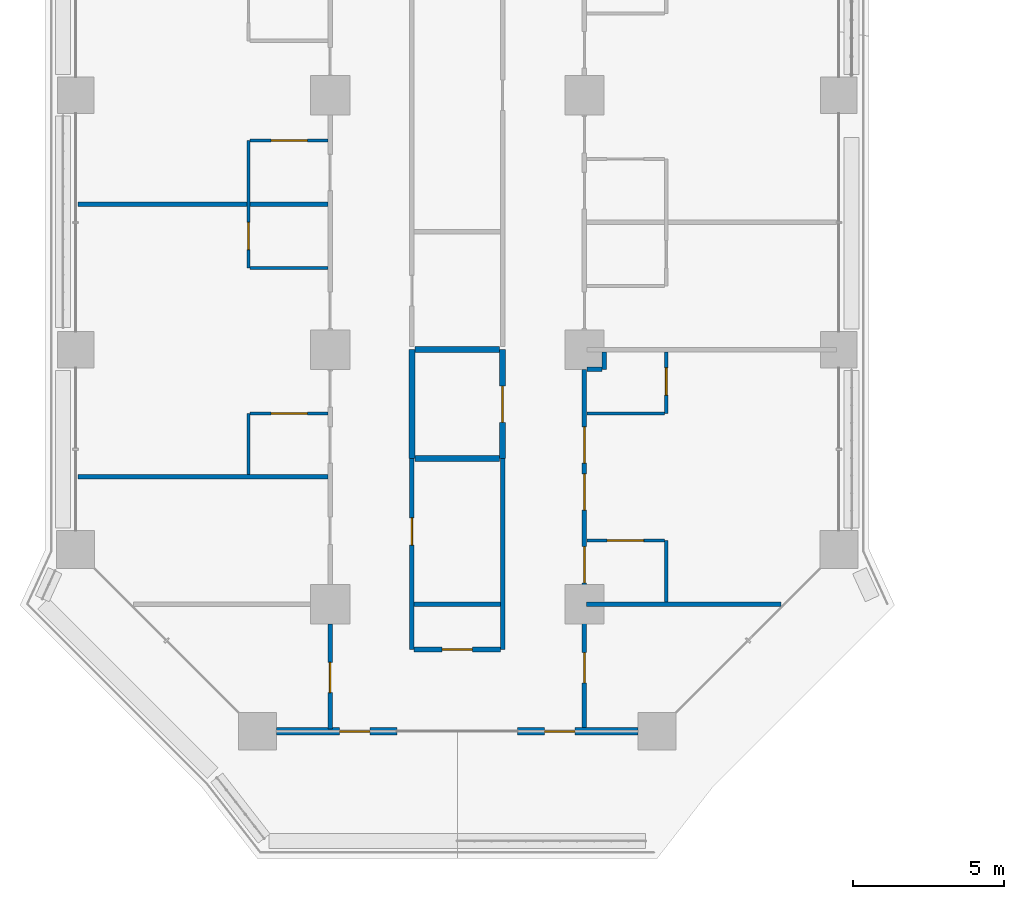
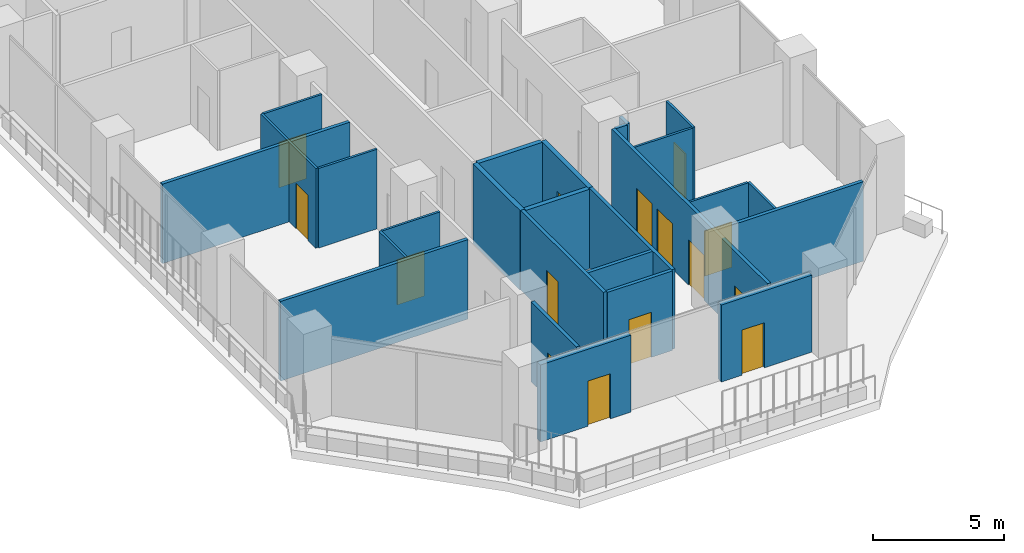
# One storey, part 12 of 28: 26 walls, 15 doors, 15 openings.
"""IFC4 building model written with IfcOpenShell, lengths in metres."""

from ifc_helpers import new_model, si_unit, direction, frame, frame_2d, origin, place, context, subcontext, project, spatial, rectangle, extrude, material, layer, layer_set, type_object, element, fill, save


model = new_model("IFC4")

# Units and contexts
model_context = context("Model", 3, precision=1e-05, world=origin(), true_north=direction((0.0, 1.0)))
body_context = subcontext(model_context, "Body", "Model", "MODEL_VIEW")
ifc_project = project(units=[si_unit("LENGTHUNIT", "METRE"), si_unit("AREAUNIT", "SQUARE_METRE"), si_unit("VOLUMEUNIT", "CUBIC_METRE"), si_unit("PLANEANGLEUNIT", "RADIAN"), si_unit("MASSUNIT", "GRAM", prefix="KILO")], contexts=[model_context])

# Site, building, storey
site_placement = place(None, origin())
site = spatial("IfcSite", under=ifc_project, at=site_placement, CompositionType="ELEMENT")
building_placement = place(site_placement, origin())
building = spatial("IfcBuilding", under=site, at=building_placement, Name="Kawkab Arch Medical Tower", CompositionType="ELEMENT")
storey_placement = place(building_placement, frame((0.0, 0.0, 89.60009765625)))
storey = spatial("IfcBuildingStorey", under=building, at=storey_placement, Name="L20", CompositionType="ELEMENT", Elevation=89.60009765625)

# Wall, opening, door
ifc_material_1 = material(Name="Bronze clad insulated wall panel")
ifc_layer_1 = layer(ifc_material_1, 0.25)
ifc_layer_set_1 = layer_set([ifc_layer_1], Name="Bronze clad insulated wall panel")
wall_type_1 = type_object("IfcWallType", Name="External wall bay 250", PredefinedType="SOLIDWALL", material=ifc_layer_set_1)
wall_1_placement = place(storey_placement, frame((6.625, -71.39990234375, 0.0), z_axis=(0.0, 0.0, 1.0), x_axis=(1.0, 0.0, 0.0)))
wall_1 = element("IfcWall", 1, at=wall_1_placement, inside=storey, type_object=wall_type_1, Name="External wall bay L20.R03.1.1", PredefinedType="SOLIDWALL", context=body_context, shape_type="SweptSolid", body=[
    extrude(rectangle(XDim=3.9833984375, YDim=0.25, at=frame_2d((1.99169921875, 0.0))), origin(), (0.0, 0.0, 1.0), 3.579833984375),
])
opening_1_placement = place(wall_1_placement, frame((2.091796875, 0.0, 0.0)))
opening_1 = element("IfcOpeningElement", 2, at=opening_1_placement, cuts=wall_1, Name="Opening W13B-701", PredefinedType="OPENING", context=body_context, shape_type="SweptSolid", body=[
    extrude(rectangle(XDim=1.0, YDim=2.10009765625, at=frame_2d((0.5, 1.050048828125))), frame((0.0, 0.135009765625, 0.0), z_axis=(0.0, -1.0, 0.0), x_axis=(1.0, 0.0, 0.0)), (0.0, 0.0, 1.0), 0.27001953125),
])
ifc_material_2 = material(Name="Bronze anodised aluminium door with tinted glass", Category="aluminium")
door_type_1 = type_object("IfcDoorType", Name="Single external door 1000 x 2100", OperationType="SINGLE_SWING_LEFT", PredefinedType="DOOR", material=ifc_material_2)
door_1_placement = place(opening_1_placement, origin())
door_1 = element("IfcDoor", 3, at=door_1_placement, inside=storey, type_object=door_type_1, Name="External door L20.R03.1.1", OperationType="SINGLE_SWING_LEFT", OverallHeight=2.10009765625, OverallWidth=1.0, PredefinedType="DOOR", context=body_context, shape_type="SweptSolid", body=[
    extrude(rectangle(XDim=1.0, YDim=2.10009765625, at=frame_2d((0.5, 1.050048828125))), frame((0.0, 0.02490234375, 0.0), z_axis=(0.0, -1.0, 0.0), x_axis=(1.0, 0.0, 0.0)), (0.0, 0.0, 1.0), 0.050048828125),
])
fill(opening_1, door_1)

wall_2_placement = place(storey_placement, frame((14.591552734375, -71.39990234375, 0.0), z_axis=(0.0, 0.0, 1.0), x_axis=(1.0, 0.0, 0.0)))
wall_2 = element("IfcWall", 4, at=wall_2_placement, inside=storey, type_object=wall_type_1, Name="External wall bay L20.R03.1.3", PredefinedType="SOLIDWALL", context=body_context, shape_type="SweptSolid", body=[
    extrude(rectangle(XDim=3.9833984375, YDim=0.25, at=frame_2d((1.99169921875, 0.0))), origin(), (0.0, 0.0, 1.0), 3.579833984375),
])
opening_2_placement = place(wall_2_placement, frame((0.8916015625, 0.0, 0.0)))
opening_2 = element("IfcOpeningElement", 5, at=opening_2_placement, cuts=wall_2, Name="Opening W13B-701", PredefinedType="OPENING", context=body_context, shape_type="SweptSolid", body=[
    extrude(rectangle(XDim=1.0, YDim=2.10009765625, at=frame_2d((0.5, 1.050048828125))), frame((0.0, 0.135009765625, 0.0), z_axis=(0.0, -1.0, 0.0), x_axis=(1.0, 0.0, 0.0)), (0.0, 0.0, 1.0), 0.27001953125),
])
door_2_placement = place(opening_2_placement, origin())
door_2 = element("IfcDoor", 6, at=door_2_placement, inside=storey, type_object=door_type_1, Name="External door L20.R03.1.3", OperationType="SINGLE_SWING_LEFT", OverallHeight=2.10009765625, OverallWidth=1.0, PredefinedType="DOOR", context=body_context, shape_type="SweptSolid", body=[
    extrude(rectangle(XDim=1.0, YDim=2.10009765625, at=frame_2d((0.5, 1.050048828125))), frame((0.0, 0.02490234375, 0.0), z_axis=(0.0, -1.0, 0.0), x_axis=(1.0, 0.0, 0.0)), (0.0, 0.0, 1.0), 0.050048828125),
])
fill(opening_2, door_2)

ifc_material_3 = material(Name="Gypsum board partition on steel studs", Category="steel")
ifc_layer_2 = layer(ifc_material_3, 0.10009765625)
ifc_layer_set_2 = layer_set([ifc_layer_2], Name="Gypsum board partition on steel studs")
wall_type_2 = type_object("IfcWallType", Name="Partition 100", PredefinedType="PARTITIONING", material=ifc_layer_set_2)
wall_3_placement = place(storey_placement, frame((16.875, -65.10009765625, 0.0), z_axis=(0.0, 0.0, 1.0), x_axis=(1.0, 0.0, 0.0)))
wall_3 = element("IfcWall", 7, at=wall_3_placement, inside=storey, type_object=wall_type_2, Name="Partition 100 w001", PredefinedType="PARTITIONING", context=body_context, shape_type="SweptSolid", body=[
    extrude(rectangle(XDim=2.574951171875, YDim=0.10009765625, at=frame_2d((1.28759765625, 0.0))), origin(), (0.0, 0.0, 1.0), 3.699951171875),
])
opening_3_placement = place(wall_3_placement, frame((0.675048828125, 0.0, 0.0)))
opening_3 = element("IfcOpeningElement", 8, at=opening_3_placement, cuts=wall_3, Name="Opening W13B-085", PredefinedType="OPENING", context=body_context, shape_type="SweptSolid", body=[
    extrude(rectangle(XDim=1.199951171875, YDim=2.10009765625, at=frame_2d((0.60009765625, 1.050048828125))), frame((0.0, 0.06005859375, 0.0), z_axis=(0.0, -1.0, 0.0), x_axis=(1.0, 0.0, 0.0)), (0.0, 0.0, 1.0), 0.1201171875),
])
ifc_material_4 = material(Name="Timber door leaf", Category="wood")
door_type_2 = type_object("IfcDoorType", Name="Single door 1200x2100", OperationType="NOTDEFINED", PredefinedType="DOOR", material=ifc_material_4)
door_3_placement = place(opening_3_placement, origin())
door_3 = element("IfcDoor", 9, at=door_3_placement, inside=storey, type_object=door_type_2, Name="Door W13B-085", OperationType="SINGLE_SWING_RIGHT", OverallHeight=2.10009765625, OverallWidth=1.199951171875, PredefinedType="DOOR", context=body_context, shape_type="SweptSolid", body=[
    extrude(rectangle(XDim=1.199951171875, YDim=2.10009765625, at=frame_2d((0.60009765625, 1.050048828125))), frame((0.0, 0.02490234375, 0.0), z_axis=(0.0, -1.0, 0.0), x_axis=(1.0, 0.0, 0.0)), (0.0, 0.0, 1.0), 0.050048828125),
])
fill(opening_3, door_3)

wall_4_placement = place(storey_placement, frame((5.75, -60.89990234375, 0.0), z_axis=(0.0, 0.0, 1.0), x_axis=(1.0, 0.0, 0.0)))
wall_4 = element("IfcWall", 10, at=wall_4_placement, inside=storey, type_object=wall_type_2, Name="Partition 100 w002", PredefinedType="PARTITIONING", context=body_context, shape_type="SweptSolid", body=[
    extrude(rectangle(XDim=2.574951171875, YDim=0.10009765625, at=frame_2d((1.28759765625, 0.0))), origin(), (0.0, 0.0, 1.0), 3.699951171875),
])
opening_4_placement = place(wall_4_placement, frame((0.699951171875, 0.0, 0.0)))
opening_4 = element("IfcOpeningElement", 11, at=opening_4_placement, cuts=wall_4, Name="Opening W13B-073", PredefinedType="OPENING", context=body_context, shape_type="SweptSolid", body=[
    extrude(rectangle(XDim=1.199951171875, YDim=2.10009765625, at=frame_2d((0.60009765625, 1.050048828125))), frame((0.0, 0.06005859375, 0.0), z_axis=(0.0, -1.0, 0.0), x_axis=(1.0, 0.0, 0.0)), (0.0, 0.0, 1.0), 0.1201171875),
])
door_4_placement = place(opening_4_placement, origin())
door_4 = element("IfcDoor", 12, at=door_4_placement, inside=storey, type_object=door_type_2, Name="Door W13B-073", OperationType="SINGLE_SWING_LEFT", OverallHeight=2.10009765625, OverallWidth=1.199951171875, PredefinedType="DOOR", context=body_context, shape_type="SweptSolid", body=[
    extrude(rectangle(XDim=1.199951171875, YDim=2.10009765625, at=frame_2d((0.60009765625, 1.050048828125))), frame((0.0, 0.02490234375, 0.0), z_axis=(0.0, -1.0, 0.0), x_axis=(1.0, 0.0, 0.0)), (0.0, 0.0, 1.0), 0.050048828125),
])
fill(opening_4, door_4)

# Walls
for number, where, z_axis, x_axis, name in (
    (13, (16.875, -60.89990234375, 0.0), (0.0, 0.0, 1.0), (1.0, 0.0, 0.0), "Partition 100 w003"),
    (14, (5.75, -56.10009765625, 0.0), (0.0, 0.0, 1.0), (1.0, 0.0, 0.0), "Partition 100 w005"),
):
    element("IfcWall", number, at=place(storey_placement, frame(where, z_axis=z_axis, x_axis=x_axis)), inside=storey, type_object=wall_type_2, Name=name, PredefinedType="PARTITIONING", context=body_context, shape_type="SweptSolid", body=[
        extrude(rectangle(XDim=2.574951171875, YDim=0.10009765625, at=frame_2d((1.28759765625, 0.0))), origin(), (0.0, 0.0, 1.0), 3.699951171875),
    ])

# Wall, opening, door
wall_5_placement = place(storey_placement, frame((5.75, -51.89990234375, 0.0), z_axis=(0.0, 0.0, 1.0), x_axis=(1.0, 0.0, 0.0)))
wall_5 = element("IfcWall", 15, at=wall_5_placement, inside=storey, type_object=wall_type_2, Name="Partition 100 w007", PredefinedType="PARTITIONING", context=body_context, shape_type="SweptSolid", body=[
    extrude(rectangle(XDim=2.574951171875, YDim=0.10009765625, at=frame_2d((1.28759765625, 0.0))), origin(), (0.0, 0.0, 1.0), 3.699951171875),
])
opening_5_placement = place(wall_5_placement, frame((0.699951171875, 0.0, 0.0)))
opening_5 = element("IfcOpeningElement", 16, at=opening_5_placement, cuts=wall_5, Name="Opening W13B-069", PredefinedType="OPENING", context=body_context, shape_type="SweptSolid", body=[
    extrude(rectangle(XDim=1.199951171875, YDim=2.10009765625, at=frame_2d((0.60009765625, 1.050048828125))), frame((0.0, 0.06005859375, 0.0), z_axis=(0.0, -1.0, 0.0), x_axis=(1.0, 0.0, 0.0)), (0.0, 0.0, 1.0), 0.1201171875),
])
door_5_placement = place(opening_5_placement, origin())
door_5 = element("IfcDoor", 17, at=door_5_placement, inside=storey, type_object=door_type_2, Name="Door W13B-069", OperationType="SINGLE_SWING_RIGHT", OverallHeight=2.10009765625, OverallWidth=1.199951171875, PredefinedType="DOOR", context=body_context, shape_type="SweptSolid", body=[
    extrude(rectangle(XDim=1.199951171875, YDim=2.10009765625, at=frame_2d((0.60009765625, 1.050048828125))), frame((0.0, 0.02490234375, 0.0), z_axis=(0.0, -1.0, 0.0), x_axis=(1.0, 0.0, 0.0)), (0.0, 0.0, 1.0), 0.050048828125),
])
fill(opening_5, door_5)

# Wall
wall_6_placement = place(storey_placement, frame((5.699951171875, -62.925048828125, 0.0), z_axis=(0.0, 0.0, 1.0), x_axis=(0.0, 1.0, 0.0)))
element("IfcWall", 18, at=wall_6_placement, inside=storey, type_object=wall_type_2, Name="Partition 100 w021", PredefinedType="PARTITIONING", context=body_context, shape_type="SweptSolid", body=[
    extrude(rectangle(XDim=2.025146484375, YDim=0.10009765625, at=frame_2d((1.0126953125, 0.0))), origin(), (0.0, 0.0, 1.0), 3.699951171875),
])

# Wall, opening, door
wall_7_placement = place(storey_placement, frame((5.699951171875, -56.10009765625, 0.0), z_axis=(0.0, 0.0, 1.0), x_axis=(0.0, 1.0, 0.0)))
wall_7 = element("IfcWall", 19, at=wall_7_placement, inside=storey, type_object=wall_type_2, Name="Partition 100 w022", PredefinedType="PARTITIONING", context=body_context, shape_type="SweptSolid", body=[
    extrude(rectangle(XDim=4.2001953125, YDim=0.10009765625, at=frame_2d((2.10009765625, 0.0))), origin(), (0.0, 0.0, 1.0), 3.699951171875),
])
opening_6_placement = place(wall_7_placement, frame((0.60009765625, 0.0, 0.0)))
opening_6 = element("IfcOpeningElement", 20, at=opening_6_placement, cuts=wall_7, Name="Opening W13B-011", PredefinedType="OPENING", context=body_context, shape_type="SweptSolid", body=[
    extrude(rectangle(XDim=0.89990234375, YDim=2.10009765625, at=frame_2d((0.449951171875, 1.050048828125))), frame((0.0, 0.06005859375, 0.0), z_axis=(0.0, -1.0, 0.0), x_axis=(1.0, 0.0, 0.0)), (0.0, 0.0, 1.0), 0.1201171875),
])
ifc_material_5 = material(Name="Timber door leaf", Category="wood")
door_type_3 = type_object("IfcDoorType", Name="Single door 900x2100", OperationType="NOTDEFINED", PredefinedType="DOOR", material=ifc_material_5)
door_6_placement = place(opening_6_placement, origin())
door_6 = element("IfcDoor", 21, at=door_6_placement, inside=storey, type_object=door_type_3, Name="Door W13B-011", OperationType="SINGLE_SWING_LEFT", OverallHeight=2.10009765625, OverallWidth=0.89990234375, PredefinedType="DOOR", context=body_context, shape_type="SweptSolid", body=[
    extrude(rectangle(XDim=0.89990234375, YDim=2.10009765625, at=frame_2d((0.449951171875, 1.050048828125))), frame((0.0, 0.02490234375, 0.0), z_axis=(0.0, -1.0, 0.0), x_axis=(1.0, 0.0, 0.0)), (0.0, 0.0, 1.0), 0.050048828125),
])
fill(opening_6, door_6)

# Wall
wall_8_placement = place(storey_placement, frame((19.5, -67.125, 0.0), z_axis=(0.0, 0.0, 1.0), x_axis=(0.0, 1.0, 0.0)))
element("IfcWall", 22, at=wall_8_placement, inside=storey, type_object=wall_type_2, Name="Partition 100 w024", PredefinedType="PARTITIONING", context=body_context, shape_type="SweptSolid", body=[
    extrude(rectangle(XDim=2.02490234375, YDim=0.10009765625, at=frame_2d((1.012451171875, 0.0))), origin(), (0.0, 0.0, 1.0), 3.699951171875),
])

# Wall, opening, door
wall_9_placement = place(storey_placement, frame((19.5, -60.89990234375, 0.0), z_axis=(0.0, 0.0, 1.0), x_axis=(0.0, 1.0, 0.0)))
wall_9 = element("IfcWall", 23, at=wall_9_placement, inside=storey, type_object=wall_type_2, Name="Partition 100 w025", PredefinedType="PARTITIONING", context=body_context, shape_type="SweptSolid", body=[
    extrude(rectangle(XDim=2.02490234375, YDim=0.10009765625, at=frame_2d((1.012451171875, 0.0))), origin(), (0.0, 0.0, 1.0), 3.699951171875),
])
opening_7_placement = place(wall_9_placement, frame((0.60009765625, 0.0, 0.0)))
opening_7 = element("IfcOpeningElement", 24, at=opening_7_placement, cuts=wall_9, Name="Opening W13B-017", PredefinedType="OPENING", context=body_context, shape_type="SweptSolid", body=[
    extrude(rectangle(XDim=0.89990234375, YDim=2.10009765625, at=frame_2d((0.449951171875, 1.050048828125))), frame((0.0, 0.06005859375, 0.0), z_axis=(0.0, -1.0, 0.0), x_axis=(1.0, 0.0, 0.0)), (0.0, 0.0, 1.0), 0.1201171875),
])
door_7_placement = place(opening_7_placement, origin())
door_7 = element("IfcDoor", 25, at=door_7_placement, inside=storey, type_object=door_type_3, Name="Door W13B-017", OperationType="SINGLE_SWING_RIGHT", OverallHeight=2.10009765625, OverallWidth=0.89990234375, PredefinedType="DOOR", context=body_context, shape_type="SweptSolid", body=[
    extrude(rectangle(XDim=0.89990234375, YDim=2.10009765625, at=frame_2d((0.449951171875, 1.050048828125))), frame((0.0, 0.02490234375, 0.0), z_axis=(0.0, -1.0, 0.0), x_axis=(1.0, 0.0, 0.0)), (0.0, 0.0, 1.0), 0.050048828125),
])
fill(opening_7, door_7)

ifc_material_6 = material(Name="Gypsum board partition on steel studs, mineral wool", Category="steel")
ifc_layer_3 = layer(ifc_material_6, 0.14990234375)
ifc_layer_set_3 = layer_set([ifc_layer_3], Name="Gypsum board partition on steel studs, mineral wool")
wall_type_3 = type_object("IfcWallType", Name="Partition 150", PredefinedType="PARTITIONING", material=ifc_layer_set_3)
wall_10_placement = place(storey_placement, frame((11.175048828125, -68.699951171875, 0.0), z_axis=(0.0, 0.0, 1.0), x_axis=(1.0, 0.0, 0.0)))
wall_10 = element("IfcWall", 26, at=wall_10_placement, inside=storey, type_object=wall_type_3, Name="Partition 150 w043", PredefinedType="PARTITIONING", context=body_context, shape_type="SweptSolid", body=[
    extrude(rectangle(XDim=2.849853515625, YDim=0.14990234375, at=frame_2d((1.4248046875, 0.0))), origin(), (0.0, 0.0, 1.0), 3.699951171875),
])
opening_8_placement = place(wall_10_placement, frame((0.925048828125, 0.0, 0.0)))
opening_8 = element("IfcOpeningElement", 27, at=opening_8_placement, cuts=wall_10, Name="Opening W13B-033", PredefinedType="OPENING", context=body_context, shape_type="SweptSolid", body=[
    extrude(rectangle(XDim=1.0, YDim=2.10009765625, at=frame_2d((0.5, 1.050048828125))), frame((0.0, 0.0849609375, 0.0), z_axis=(0.0, -1.0, 0.0), x_axis=(1.0, 0.0, 0.0)), (0.0, 0.0, 1.0), 0.169921875),
])
ifc_material_7 = material(Name="Hollow metal door leaf")
door_type_4 = type_object("IfcDoorType", Name="Single door 1000x2100 FD30S", OperationType="NOTDEFINED", PredefinedType="DOOR", material=ifc_material_7)
door_8_placement = place(opening_8_placement, origin())
door_8 = element("IfcDoor", 28, at=door_8_placement, inside=storey, type_object=door_type_4, Name="Door W13B-033", OperationType="SINGLE_SWING_RIGHT", OverallHeight=2.10009765625, OverallWidth=1.0, PredefinedType="DOOR", context=body_context, shape_type="SweptSolid", body=[
    extrude(rectangle(XDim=1.0, YDim=2.10009765625, at=frame_2d((0.5, 1.050048828125))), frame((0.0, 0.02490234375, 0.0), z_axis=(0.0, -1.0, 0.0), x_axis=(1.0, 0.0, 0.0)), (0.0, 0.0, 1.0), 0.050048828125),
])
fill(opening_8, door_8)

# Walls
wall_11_placement = place(storey_placement, frame((11.175048828125, -67.199951171875, 0.0), z_axis=(0.0, 0.0, 1.0), x_axis=(1.0, 0.0, 0.0)))
element("IfcWall", 29, at=wall_11_placement, inside=storey, type_object=wall_type_3, Name="Partition 150 w045", PredefinedType="PARTITIONING", context=body_context, shape_type="SweptSolid", body=[
    extrude(rectangle(XDim=2.849853515625, YDim=0.14990234375, at=frame_2d((1.4248046875, 0.0))), origin(), (0.0, 0.0, 1.0), 3.699951171875),
])
wall_12_placement = place(storey_placement, frame((16.875, -67.199951171875, 0.0), z_axis=(0.0, 0.0, 1.0), x_axis=(1.0, 0.0, 0.0)))
element("IfcWall", 30, at=wall_12_placement, inside=storey, type_object=wall_type_3, Name="Partition 150 w046", PredefinedType="PARTITIONING", context=body_context, shape_type="SweptSolid", body=[
    extrude(rectangle(XDim=6.412109375, YDim=0.14990234375, at=frame_2d((3.2060546875, 0.0))), origin(), (0.0, 0.0, 1.0), 3.699951171875),
])
wall_13_placement = place(storey_placement, frame((0.080078125, -63.0, 0.0), z_axis=(0.0, 0.0, 1.0), x_axis=(1.0, 0.0, 0.0)))
element("IfcWall", 31, at=wall_13_placement, inside=storey, type_object=wall_type_3, Name="Partition 150 w047", PredefinedType="PARTITIONING", context=body_context, shape_type="SweptSolid", body=[
    extrude(rectangle(XDim=8.244873046875, YDim=0.14990234375, at=frame_2d((4.12255859375, 0.0))), origin(), (0.0, 0.0, 1.0), 3.699951171875),
])
wall_14_placement = place(storey_placement, frame((16.876953125, -59.449951171875, 0.0), z_axis=(0.0, 0.0, 1.0), x_axis=(1.0, 0.0, 0.0)))
element("IfcWall", 32, at=wall_14_placement, inside=storey, type_object=wall_type_3, Name="Partition 150 w048", PredefinedType="PARTITIONING", context=body_context, shape_type="SweptSolid", body=[
    extrude(rectangle(XDim=0.498046875, YDim=0.14990234375, at=frame_2d((0.2490234375, 0.0))), origin(), (0.0, 0.0, 1.0), 3.699951171875),
])
wall_15_placement = place(storey_placement, frame((0.080078125, -54.0, 0.0), z_axis=(0.0, 0.0, 1.0), x_axis=(1.0, 0.0, 0.0)))
element("IfcWall", 33, at=wall_15_placement, inside=storey, type_object=wall_type_3, Name="Partition 150 w052", PredefinedType="PARTITIONING", context=body_context, shape_type="SweptSolid", body=[
    extrude(rectangle(XDim=8.244873046875, YDim=0.14990234375, at=frame_2d((4.12255859375, 0.0))), origin(), (0.0, 0.0, 1.0), 3.699951171875),
])

# Wall, opening, door
wall_16_placement = place(storey_placement, frame((8.39990234375, -71.320068359375, 0.0), z_axis=(0.0, 0.0, 1.0), x_axis=(0.0, 1.0, 0.0)))
wall_16 = element("IfcWall", 34, at=wall_16_placement, inside=storey, type_object=wall_type_3, Name="Partition 150 w082", PredefinedType="PARTITIONING", context=body_context, shape_type="SweptSolid", body=[
    extrude(rectangle(XDim=3.469970703125, YDim=0.14990234375, at=frame_2d((1.73486328125, 0.0))), origin(), (0.0, 0.0, 1.0), 3.699951171875),
])
opening_9_placement = place(wall_16_placement, frame((1.195068359375, 0.0, 0.0)))
opening_9 = element("IfcOpeningElement", 35, at=opening_9_placement, cuts=wall_16, Name="Opening W13B-029", PredefinedType="OPENING", context=body_context, shape_type="SweptSolid", body=[
    extrude(rectangle(XDim=1.0, YDim=2.10009765625, at=frame_2d((0.5, 1.050048828125))), frame((0.0, 0.0849609375, 0.0), z_axis=(0.0, -1.0, 0.0), x_axis=(1.0, 0.0, 0.0)), (0.0, 0.0, 1.0), 0.169921875),
])
door_9_placement = place(opening_9_placement, origin())
door_9 = element("IfcDoor", 36, at=door_9_placement, inside=storey, type_object=door_type_4, Name="Door W13B-029", OperationType="SINGLE_SWING_RIGHT", OverallHeight=2.10009765625, OverallWidth=1.0, PredefinedType="DOOR", context=body_context, shape_type="SweptSolid", body=[
    extrude(rectangle(XDim=1.0, YDim=2.10009765625, at=frame_2d((0.5, 1.050048828125))), frame((0.0, 0.02490234375, 0.0), z_axis=(0.0, -1.0, 0.0), x_axis=(1.0, 0.0, 0.0)), (0.0, 0.0, 1.0), 0.050048828125),
])
fill(opening_9, door_9)

wall_17_placement = place(storey_placement, frame((11.10009765625, -68.699951171875, 0.0), z_axis=(0.0, 0.0, 1.0), x_axis=(0.0, 1.0, 0.0)))
wall_17 = element("IfcWall", 37, at=wall_17_placement, inside=storey, type_object=wall_type_3, Name="Partition 150 w086", PredefinedType="PARTITIONING", context=body_context, shape_type="SweptSolid", body=[
    extrude(rectangle(XDim=6.300048828125, YDim=0.14990234375, at=frame_2d((3.14990234375, 0.0))), origin(), (0.0, 0.0, 1.0), 3.699951171875),
])
opening_10_placement = place(wall_17_placement, frame((3.449951171875, 0.0, 0.0)))
opening_10 = element("IfcOpeningElement", 38, at=opening_10_placement, cuts=wall_17, Name="Opening W13B-013", PredefinedType="OPENING", context=body_context, shape_type="SweptSolid", body=[
    extrude(rectangle(XDim=0.89990234375, YDim=2.10009765625, at=frame_2d((0.449951171875, 1.050048828125))), frame((0.0, 0.0849609375, 0.0), z_axis=(0.0, -1.0, 0.0), x_axis=(1.0, 0.0, 0.0)), (0.0, 0.0, 1.0), 0.169921875),
])
door_10_placement = place(opening_10_placement, origin())
door_10 = element("IfcDoor", 39, at=door_10_placement, inside=storey, type_object=door_type_3, Name="Door W13B-013", OperationType="SINGLE_SWING_LEFT", OverallHeight=2.10009765625, OverallWidth=0.89990234375, PredefinedType="DOOR", context=body_context, shape_type="SweptSolid", body=[
    extrude(rectangle(XDim=0.89990234375, YDim=2.10009765625, at=frame_2d((0.449951171875, 1.050048828125))), frame((0.0, 0.02490234375, 0.0), z_axis=(0.0, -1.0, 0.0), x_axis=(1.0, 0.0, 0.0)), (0.0, 0.0, 1.0), 0.050048828125),
])
fill(opening_10, door_10)

# Wall
wall_18_placement = place(storey_placement, frame((14.10009765625, -68.699951171875, 0.0), z_axis=(0.0, 0.0, 1.0), x_axis=(0.0, 1.0, 0.0)))
element("IfcWall", 40, at=wall_18_placement, inside=storey, type_object=wall_type_3, Name="Partition 150 w088", PredefinedType="PARTITIONING", context=body_context, shape_type="SweptSolid", body=[
    extrude(rectangle(XDim=6.300048828125, YDim=0.14990234375, at=frame_2d((3.14990234375, 0.0))), origin(), (0.0, 0.0, 1.0), 3.699951171875),
])

# Wall, openings, doors
wall_19_placement = place(storey_placement, frame((16.800048828125, -71.320068359375, 0.0), z_axis=(0.0, 0.0, 1.0), x_axis=(0.0, 1.0, 0.0)))
wall_19 = element("IfcWall", 41, at=wall_19_placement, inside=storey, type_object=wall_type_3, Name="Partition 150 w090", PredefinedType="PARTITIONING", context=body_context, shape_type="SweptSolid", body=[
    extrude(rectangle(XDim=11.8681640625, YDim=0.14990234375, at=frame_2d((5.93408203125, 0.0))), origin(), (0.0, 0.0, 1.0), 3.699951171875),
])
opening_11_placement = place(wall_19_placement, frame((8.77001953125, 0.0, 0.0)))
opening_11 = element("IfcOpeningElement", 42, at=opening_11_placement, cuts=wall_19, Name="Opening W13B-082", PredefinedType="OPENING", context=body_context, shape_type="SweptSolid", body=[
    extrude(rectangle(XDim=1.199951171875, YDim=2.10009765625, at=frame_2d((0.60009765625, 1.050048828125))), frame((0.0, 0.0849609375, 0.0), z_axis=(0.0, -1.0, 0.0), x_axis=(1.0, 0.0, 0.0)), (0.0, 0.0, 1.0), 0.169921875),
])
opening_12_placement = place(wall_19_placement, frame((7.219970703125, 0.0, 0.0)))
opening_12 = element("IfcOpeningElement", 43, at=opening_12_placement, cuts=wall_19, Name="Opening W13B-083", PredefinedType="OPENING", context=body_context, shape_type="SweptSolid", body=[
    extrude(rectangle(XDim=1.199951171875, YDim=2.10009765625, at=frame_2d((0.60009765625, 1.050048828125))), frame((0.0, 0.0849609375, 0.0), z_axis=(0.0, -1.0, 0.0), x_axis=(1.0, 0.0, 0.0)), (0.0, 0.0, 1.0), 0.169921875),
])
opening_13_placement = place(wall_19_placement, frame((4.820068359375, 0.0, 0.0)))
opening_13 = element("IfcOpeningElement", 44, at=opening_13_placement, cuts=wall_19, Name="Opening W13B-084", PredefinedType="OPENING", context=body_context, shape_type="SweptSolid", body=[
    extrude(rectangle(XDim=1.199951171875, YDim=2.10009765625, at=frame_2d((0.60009765625, 1.050048828125))), frame((0.0, 0.0849609375, 0.0), z_axis=(0.0, -1.0, 0.0), x_axis=(1.0, 0.0, 0.0)), (0.0, 0.0, 1.0), 0.169921875),
])
opening_14_placement = place(wall_19_placement, frame((1.52001953125, 0.0, 0.0)))
opening_14 = element("IfcOpeningElement", 45, at=opening_14_placement, cuts=wall_19, Name="Opening W13B-034", PredefinedType="OPENING", context=body_context, shape_type="SweptSolid", body=[
    extrude(rectangle(XDim=1.0, YDim=2.10009765625, at=frame_2d((0.5, 1.050048828125))), frame((0.0, 0.0849609375, 0.0), z_axis=(0.0, -1.0, 0.0), x_axis=(1.0, 0.0, 0.0)), (0.0, 0.0, 1.0), 0.169921875),
])
door_11_placement = place(opening_14_placement, origin())
door_11 = element("IfcDoor", 46, at=door_11_placement, inside=storey, type_object=door_type_4, Name="Door W13B-034", OperationType="SINGLE_SWING_RIGHT", OverallHeight=2.10009765625, OverallWidth=1.0, PredefinedType="DOOR", context=body_context, shape_type="SweptSolid", body=[
    extrude(rectangle(XDim=1.0, YDim=2.10009765625, at=frame_2d((0.5, 1.050048828125))), frame((0.0, 0.02490234375, 0.0), z_axis=(0.0, -1.0, 0.0), x_axis=(1.0, 0.0, 0.0)), (0.0, 0.0, 1.0), 0.050048828125),
])
fill(opening_14, door_11)
ifc_material_8 = material(Name="Hollow metal door leaf")
door_type_5 = type_object("IfcDoorType", Name="Single door 1200x2100 FD30S", OperationType="NOTDEFINED", PredefinedType="DOOR", material=ifc_material_8)
door_12_placement = place(opening_11_placement, origin())
door_12 = element("IfcDoor", 47, at=door_12_placement, inside=storey, type_object=door_type_5, Name="Door W13B-082", OperationType="SINGLE_SWING_LEFT", OverallHeight=2.10009765625, OverallWidth=1.199951171875, PredefinedType="DOOR", context=body_context, shape_type="SweptSolid", body=[
    extrude(rectangle(XDim=1.199951171875, YDim=2.10009765625, at=frame_2d((0.60009765625, 1.050048828125))), frame((0.0, 0.02490234375, 0.0), z_axis=(0.0, -1.0, 0.0), x_axis=(1.0, 0.0, 0.0)), (0.0, 0.0, 1.0), 0.050048828125),
])
fill(opening_11, door_12)
door_13_placement = place(opening_12_placement, origin())
door_13 = element("IfcDoor", 48, at=door_13_placement, inside=storey, type_object=door_type_5, Name="Door W13B-083", OperationType="SINGLE_SWING_LEFT", OverallHeight=2.10009765625, OverallWidth=1.199951171875, PredefinedType="DOOR", context=body_context, shape_type="SweptSolid", body=[
    extrude(rectangle(XDim=1.199951171875, YDim=2.10009765625, at=frame_2d((0.60009765625, 1.050048828125))), frame((0.0, 0.02490234375, 0.0), z_axis=(0.0, -1.0, 0.0), x_axis=(1.0, 0.0, 0.0)), (0.0, 0.0, 1.0), 0.050048828125),
])
fill(opening_12, door_13)
door_14_placement = place(opening_13_placement, origin())
door_14 = element("IfcDoor", 49, at=door_14_placement, inside=storey, type_object=door_type_5, Name="Door W13B-084", OperationType="SINGLE_SWING_RIGHT", OverallHeight=2.10009765625, OverallWidth=1.199951171875, PredefinedType="DOOR", context=body_context, shape_type="SweptSolid", body=[
    extrude(rectangle(XDim=1.199951171875, YDim=2.10009765625, at=frame_2d((0.60009765625, 1.050048828125))), frame((0.0, 0.02490234375, 0.0), z_axis=(0.0, -1.0, 0.0), x_axis=(1.0, 0.0, 0.0)), (0.0, 0.0, 1.0), 0.050048828125),
])
fill(opening_13, door_14)

# Walls
wall_20_placement = place(storey_placement, frame((17.449951171875, -59.449951171875, 0.0), z_axis=(0.0, 0.0, 1.0), x_axis=(0.0, 1.0, 0.0)))
element("IfcWall", 50, at=wall_20_placement, inside=storey, type_object=wall_type_3, Name="Partition 150 w092", PredefinedType="PARTITIONING", context=body_context, shape_type="SweptSolid", body=[
    extrude(rectangle(XDim=0.574951171875, YDim=0.14990234375, at=frame_2d((0.28759765625, 0.0))), origin(), (0.0, 0.0, 1.0), 3.699951171875),
])
ifc_material_9 = material(Name="Fire-rated gypsum board partition on steel studs", Category="steel")
ifc_layer_4 = layer(ifc_material_9, 0.199951171875)
ifc_layer_set_4 = layer_set([ifc_layer_4], Name="Fire-rated gypsum board partition on steel studs")
wall_type_4 = type_object("IfcWallType", Name="Protected partition 200", PredefinedType="PARTITIONING", material=ifc_layer_set_4)
for number, where, z_axis, x_axis, name in (
    (51, (11.199951171875, -62.39990234375, 0.0), (0.0, 0.0, 1.0), (1.0, 0.0, 0.0), "Protected partition 200 w119"),
    (52, (11.199951171875, -58.800048828125, 0.0), (0.0, 0.0, 1.0), (1.0, 0.0, 0.0), "Protected partition 200 w120"),
):
    element("IfcWall", number, at=place(storey_placement, frame(where, z_axis=z_axis, x_axis=x_axis)), inside=storey, type_object=wall_type_4, Name=name, PredefinedType="PARTITIONING", context=body_context, shape_type="SweptSolid", body=[
        extrude(rectangle(XDim=2.800048828125, YDim=0.199951171875, at=frame_2d((1.39990234375, 0.0))), origin(), (0.0, 0.0, 1.0), 3.699951171875),
    ])
wall_21_placement = place(storey_placement, frame((11.10009765625, -62.39990234375, 0.0), z_axis=(0.0, 0.0, 1.0), x_axis=(0.0, 1.0, 0.0)))
element("IfcWall", 53, at=wall_21_placement, inside=storey, type_object=wall_type_4, Name="Protected partition 200 w123", PredefinedType="PARTITIONING", context=body_context, shape_type="SweptSolid", body=[
    extrude(rectangle(XDim=3.599853515625, YDim=0.199951171875, at=frame_2d((1.7998046875, 0.0))), origin(), (0.0, 0.0, 1.0), 3.699951171875),
])

# Wall, opening, door
wall_22_placement = place(storey_placement, frame((14.10009765625, -62.39990234375, 0.0), z_axis=(0.0, 0.0, 1.0), x_axis=(0.0, 1.0, 0.0)))
wall_22 = element("IfcWall", 54, at=wall_22_placement, inside=storey, type_object=wall_type_4, Name="Protected partition 200 w124", PredefinedType="PARTITIONING", context=body_context, shape_type="SweptSolid", body=[
    extrude(rectangle(XDim=3.599853515625, YDim=0.199951171875, at=frame_2d((1.7998046875, 0.0))), origin(), (0.0, 0.0, 1.0), 3.699951171875),
])
opening_15_placement = place(wall_22_placement, frame((1.199951171875, 0.0, 0.0)))
opening_15 = element("IfcOpeningElement", 55, at=opening_15_placement, cuts=wall_22, Name="Opening W13B-087", PredefinedType="OPENING", context=body_context, shape_type="SweptSolid", body=[
    extrude(rectangle(XDim=1.199951171875, YDim=2.10009765625, at=frame_2d((0.60009765625, 1.050048828125))), frame((0.0, 0.10986328125, 0.0), z_axis=(0.0, -1.0, 0.0), x_axis=(1.0, 0.0, 0.0)), (0.0, 0.0, 1.0), 0.219970703125),
])
ifc_material_10 = material(Name="Hollow metal door leaf")
door_type_6 = type_object("IfcDoorType", Name="Single door 1200x2100 FD60", OperationType="NOTDEFINED", PredefinedType="DOOR", material=ifc_material_10)
door_15_placement = place(opening_15_placement, origin())
door_15 = element("IfcDoor", 56, at=door_15_placement, inside=storey, type_object=door_type_6, Name="Door W13B-087", OperationType="SINGLE_SWING_RIGHT", OverallHeight=2.10009765625, OverallWidth=1.199951171875, PredefinedType="DOOR", context=body_context, shape_type="SweptSolid", body=[
    extrude(rectangle(XDim=1.199951171875, YDim=2.10009765625, at=frame_2d((0.60009765625, 1.050048828125))), frame((0.0, 0.02490234375, 0.0), z_axis=(0.0, -1.0, 0.0), x_axis=(1.0, 0.0, 0.0)), (0.0, 0.0, 1.0), 0.050048828125),
])
fill(opening_15, door_15)

save(model, "model.ifc")
